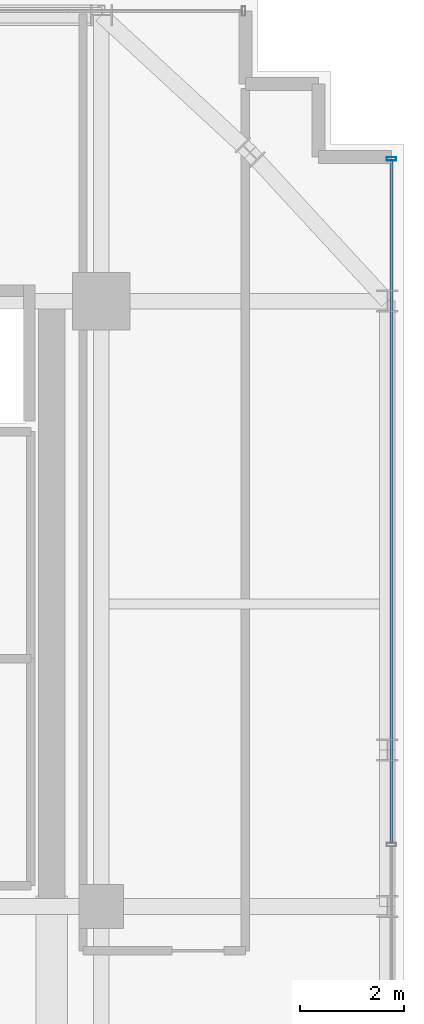
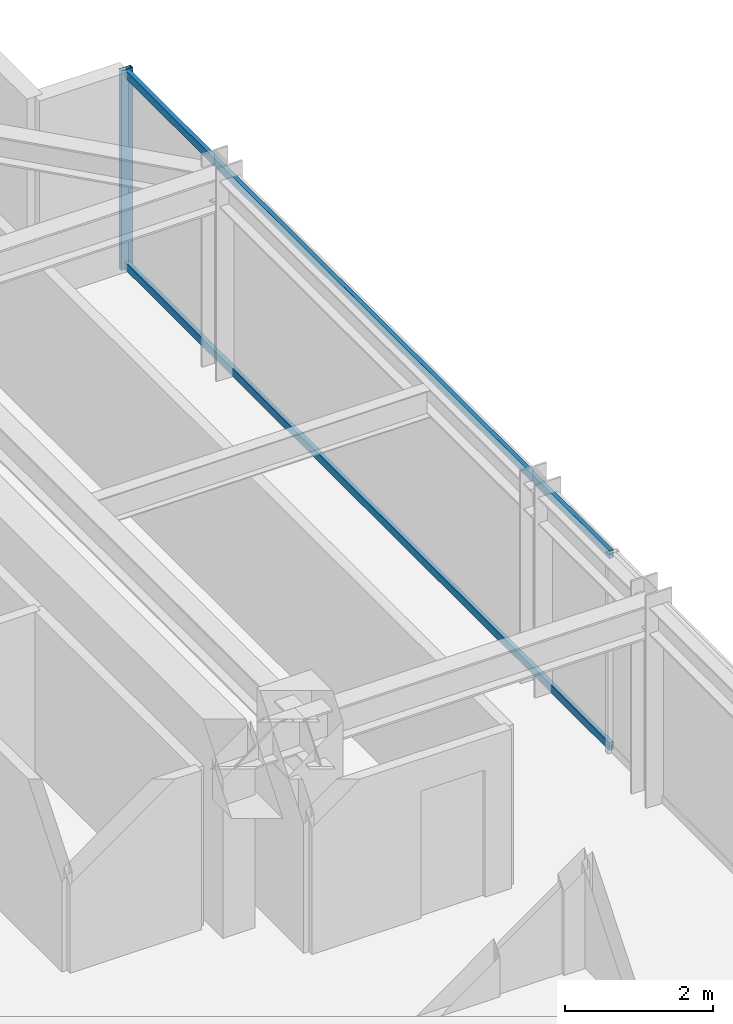
# One storey, part 24 of 32: 3 members, 1 element without a shape of its own.
"""IFC4 building model written with IfcOpenShell, lengths in metres."""

from ifc_helpers import new_model, si_unit, direction, frame, origin, origin_2d, place, context, subcontext, project, spatial, hollow_rectangle, extrude, source, transform, mapped, material, material_profile, profile_set, type_object, element, aggregate, save


model = new_model("IFC4")

# Units and contexts
model_context = context("Model", 3, precision=1e-05, world=origin(), true_north=direction((0.0, 1.0)))
body_context = subcontext(model_context, "Body", "Model", "MODEL_VIEW")
ifc_project = project(units=[si_unit("LENGTHUNIT", "METRE"), si_unit("AREAUNIT", "SQUARE_METRE"), si_unit("VOLUMEUNIT", "CUBIC_METRE"), si_unit("PLANEANGLEUNIT", "RADIAN"), si_unit("MASSUNIT", "GRAM", prefix="KILO")], contexts=[model_context])

# Site, building, storey
site_placement = place(None, origin())
site = spatial("IfcSite", under=ifc_project, at=site_placement, CompositionType="ELEMENT")
building_placement = place(site_placement, origin())
building = spatial("IfcBuilding", under=site, at=building_placement, Name="Nahalor Promenade Grand Hotel", CompositionType="ELEMENT")
storey_placement = place(building_placement, frame((0.0, 0.0, 196.449951171875)))
storey = spatial("IfcBuildingStorey", under=building, at=storey_placement, Name="L50", CompositionType="ELEMENT", Elevation=196.449951171875)

# Curtain wall, members
ifc_material = material(Name="Anodised Bronze Aluminium EN AW-6063 T6", Category="aluminium")
curtain_wall_type = type_object("IfcCurtainWallType", Name="CW2 Typical Hotel Flush Bronze Unitised Curtain Wall", PredefinedType="USERDEFINED", material=ifc_material)
curtain_wall_placement = place(storey_placement, origin())
curtain_wall = element("IfcCurtainWall", 1, at=curtain_wall_placement, inside=storey, type_object=curtain_wall_type, Name="L50 Curtain Wall CW-L50-E-1", ObjectType="UNITISED_CURTAIN_WALL", PredefinedType="USERDEFINED")
ifc_material_profile_1 = material_profile(ifc_material, hollow_rectangle(XDim=0.065, YDim=0.13, WallThickness=0.004, at=origin_2d()), Name="CWT 65x130x4")
ifc_profile_set_1 = profile_set([ifc_material_profile_1], Name="Anodised Bronze Aluminium EN AW-6063 T6")
member_type_1 = type_object("IfcMemberType", Name="CWT2 Typical Bronze Transom 65x130", PredefinedType="USERDEFINED", material=ifc_profile_set_1)
shared_shape_1 = source(origin(), body_context, "Body", "SweptSolid", [
    extrude(hollow_rectangle(XDim=0.065, YDim=0.13, WallThickness=0.004, at=origin_2d()), origin(), (0.0, 0.0, 1.0), 13.075927734375),
])
member_1_placement = place(storey_placement, frame((22.56005859375, 6.619140625, 0.06494140625), z_axis=(0.0, 1.0, 0.0), x_axis=(-1.0, 0.0, 0.0)))
member_1 = element("IfcMember", 2, at=member_1_placement, type_object=member_type_1, Name="CW-L50-E-1 Transom 2-0", ObjectType="TRANSOM", PredefinedType="USERDEFINED", context=body_context, shape_type="MappedRepresentation", body=[
    mapped(shared_shape_1, transform((0.0, 0.0, 0.0), scale=1.0)),
])
member_2_placement = place(storey_placement, frame((22.56005859375, 6.619140625, 3.22509765625), z_axis=(0.0, 1.0, 0.0), x_axis=(-1.0, 0.0, 0.0)))
member_2 = element("IfcMember", 3, at=member_2_placement, type_object=member_type_1, Name="CW-L50-E-1 Transom 2-1", ObjectType="TRANSOM", PredefinedType="USERDEFINED", context=body_context, shape_type="MappedRepresentation", body=[
    mapped(shared_shape_1, transform((0.0, 0.0, 0.0), scale=1.0)),
])
ifc_material_profile_2 = material_profile(ifc_material, hollow_rectangle(XDim=0.065, YDim=0.18, WallThickness=0.004, at=origin_2d()), Name="CWM 65x180x4")
ifc_profile_set_2 = profile_set([ifc_material_profile_2], Name="Anodised Bronze Aluminium EN AW-6063 T6")
member_type_2 = type_object("IfcMemberType", Name="CWM2 Typical Bronze Mullion 65x180", PredefinedType="MULLION", material=ifc_profile_set_2)
shared_shape_2 = source(origin(), body_context, "Body", "SweptSolid", [
    extrude(hollow_rectangle(XDim=0.065, YDim=0.18, WallThickness=0.004, at=origin_2d()), origin(), (0.0, 0.0, 1.0), 3.2900390625),
])
member_3_placement = place(storey_placement, frame((22.56005859375, 19.7275390625, 0.0), z_axis=(0.0, 0.0, 1.0), x_axis=(0.0, 1.0, 0.0)))
member_3 = element("IfcMember", 4, at=member_3_placement, type_object=member_type_2, Name="CW-L50-E-1 Mullion 3", PredefinedType="MULLION", context=body_context, shape_type="MappedRepresentation", body=[
    mapped(shared_shape_2, transform((0.0, 0.0, 0.0), scale=1.0)),
])
aggregate(curtain_wall, [member_3, member_1, member_2])

save(model, "model.ifc")
